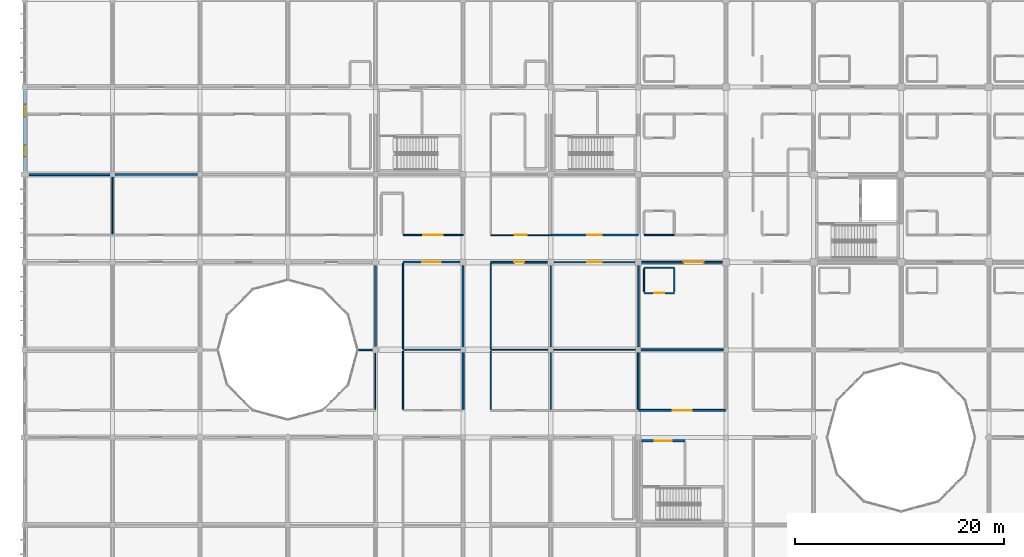
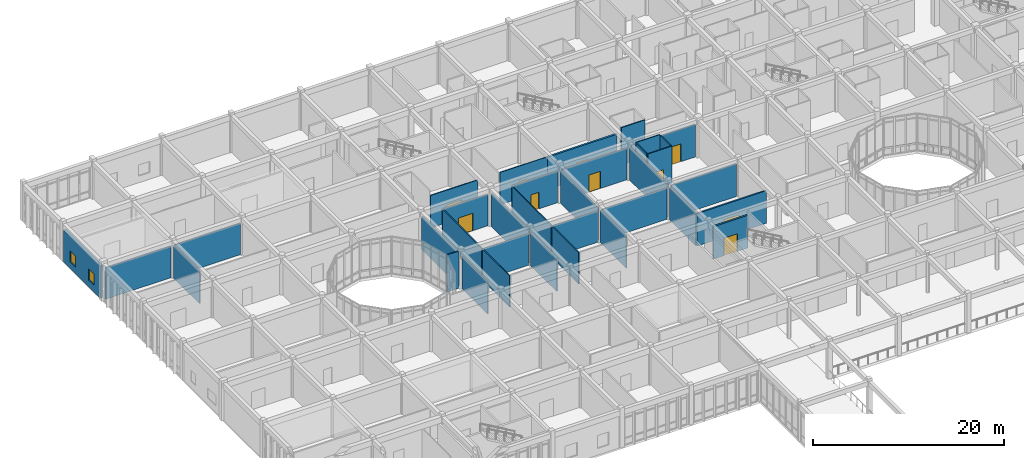
# One storey, part 98 of 134: 35 walls, 10 doors, 2 windows, 12 openings.
"""IFC4 building model written with IfcOpenShell, lengths in metres."""

from ifc_helpers import new_model, si_unit, direction, frame, frame_2d, origin, place, context, subcontext, project, spatial, rectangle, extrude, material, layer, layer_set, type_object, element, fill, save


model = new_model("IFC4")

# Units and contexts
model_context = context("Model", 3, precision=1e-05, world=origin(), true_north=direction((0.0, 1.0)))
body_context = subcontext(model_context, "Body", "Model", "MODEL_VIEW")
ifc_project = project(units=[si_unit("LENGTHUNIT", "METRE"), si_unit("AREAUNIT", "SQUARE_METRE"), si_unit("VOLUMEUNIT", "CUBIC_METRE"), si_unit("PLANEANGLEUNIT", "RADIAN"), si_unit("MASSUNIT", "GRAM", prefix="KILO")], contexts=[model_context])

# Site, building, storey
site_placement = place(None, origin())
site = spatial("IfcSite", under=ifc_project, at=site_placement, CompositionType="ELEMENT")
building_placement = place(site_placement, origin())
building = spatial("IfcBuilding", under=site, at=building_placement, Name="Bramfleet General Hospital", CompositionType="ELEMENT")
storey_placement = place(building_placement, frame((0.0, 0.0, 9.300048828125)))
storey = spatial("IfcBuildingStorey", under=building, at=storey_placement, Name="L02", CompositionType="ELEMENT", Elevation=9.300048828125)

# Wall, openings, windows
ifc_material_1 = material(Name="Precast concrete C40/50", Category="concrete")
ifc_layer_1 = layer(ifc_material_1, 0.3349609375, Name="WT-EW-03")
ifc_layer_set_1 = layer_set([ifc_layer_1], Name="Precast concrete C40/50")
wall_type_1 = type_object("IfcWallType", Name="WT-EW-03", PredefinedType="SOLIDWALL", material=ifc_layer_set_1)
wall_1_placement = place(storey_placement, frame((0.0, 101.125, 0.0), z_axis=(0.0, 0.0, 1.0), x_axis=(0.0, 1.0, 0.0)))
wall_1 = element("IfcWall", 1, at=wall_1_placement, inside=storey, type_object=wall_type_1, Name="L02 Exterior Wall 197", PredefinedType="SOLIDWALL", context=body_context, shape_type="SweptSolid", body=[
    extrude(rectangle(XDim=7.75, YDim=0.3349609375, at=frame_2d((3.875, 0.0))), origin(), (0.0, 0.0, 1.0), 4.070068359375),
])
opening_1_placement = place(wall_1_placement, frame((1.387451171875, 0.0, 0.85009765625)))
opening_1 = element("IfcOpeningElement", 2, at=opening_1_placement, cuts=wall_1, Name="Opening W-12", PredefinedType="OPENING", context=body_context, shape_type="SweptSolid", body=[
    extrude(rectangle(XDim=1.10009765625, YDim=1.419921875, at=frame_2d((0.550048828125, 0.7099609375))), frame((0.0, 0.177490234375, 0.0), z_axis=(0.0, -1.0, 0.0), x_axis=(1.0, 0.0, 0.0)), (0.0, 0.0, 1.0), 0.35498046875),
])
opening_2_placement = place(wall_1_placement, frame((5.21240234375, 0.0, 0.85009765625)))
opening_2 = element("IfcOpeningElement", 3, at=opening_2_placement, cuts=wall_1, Name="Opening W-13", PredefinedType="OPENING", context=body_context, shape_type="SweptSolid", body=[
    extrude(rectangle(XDim=1.199951171875, YDim=1.419921875, at=frame_2d((0.60009765625, 0.7099609375))), frame((0.0, 0.177490234375, 0.0), z_axis=(0.0, -1.0, 0.0), x_axis=(1.0, 0.0, 0.0)), (0.0, 0.0, 1.0), 0.35498046875),
])
ifc_material_2 = material(Name="Anodised aluminium and low-E triple glazing", Category="aluminium")
window_type_1 = type_object("IfcWindowType", Name="WIN-W-12", PartitioningType="SINGLE_PANEL", PredefinedType="WINDOW", material=ifc_material_2)
window_1_placement = place(opening_1_placement, origin())
window_1 = element("IfcWindow", 4, at=window_1_placement, inside=storey, type_object=window_type_1, Name="L02 Facade Window WIN-L02-197-1", OverallHeight=1.419921875, OverallWidth=1.10009765625, PartitioningType="SINGLE_PANEL", PredefinedType="WINDOW", context=body_context, shape_type="SweptSolid", body=[
    extrude(rectangle(XDim=1.10009765625, YDim=1.419921875, at=frame_2d((0.550048828125, 0.7099609375))), frame((0.0, 0.030029296875, 0.0), z_axis=(0.0, -1.0, 0.0), x_axis=(1.0, 0.0, 0.0)), (0.0, 0.0, 1.0), 0.06005859375),
])
fill(opening_1, window_1)
window_type_2 = type_object("IfcWindowType", Name="WIN-W-13", PartitioningType="SINGLE_PANEL", PredefinedType="WINDOW", material=ifc_material_2)
window_2_placement = place(opening_2_placement, origin())
window_2 = element("IfcWindow", 5, at=window_2_placement, inside=storey, type_object=window_type_2, Name="L02 Facade Window WIN-L02-197-2", OverallHeight=1.419921875, OverallWidth=1.199951171875, PartitioningType="SINGLE_PANEL", PredefinedType="WINDOW", context=body_context, shape_type="SweptSolid", body=[
    extrude(rectangle(XDim=1.199951171875, YDim=1.419921875, at=frame_2d((0.60009765625, 0.7099609375))), frame((0.0, 0.030029296875, 0.0), z_axis=(0.0, -1.0, 0.0), x_axis=(1.0, 0.0, 0.0)), (0.0, 0.0, 1.0), 0.06005859375),
])
fill(opening_2, window_2)

# Wall, opening, door
ifc_material_3 = material(Name="Concrete C35/45", Category="concrete")
ifc_layer_2 = layer(ifc_material_3, 0.219970703125, Name="WT-IW-01")
ifc_layer_set_2 = layer_set([ifc_layer_2], Name="Concrete C35/45")
wall_type_2 = type_object("IfcWallType", Name="WT-IW-01", PredefinedType="PARTITIONING", material=ifc_layer_set_2)
wall_2_placement = place(storey_placement, frame((50.39990234375, 95.0, 0.0), z_axis=(0.0, 0.0, 1.0), x_axis=(1.0, 0.0, 0.0)))
wall_2 = element("IfcWall", 6, at=wall_2_placement, inside=storey, type_object=wall_type_2, Name="L02 Interior Partition IW-L02-2101", PredefinedType="PARTITIONING", context=body_context, shape_type="SweptSolid", body=[
    extrude(rectangle(XDim=8.400146484375, YDim=0.219970703125, at=frame_2d((4.2001953125, 0.0))), origin(), (0.0, 0.0, 1.0), 4.169921875),
])
opening_3_placement = place(wall_2_placement, frame((3.52490234375, 0.0, 0.0)))
opening_3 = element("IfcOpeningElement", 7, at=opening_3_placement, cuts=wall_2, Name="Opening D0898", PredefinedType="OPENING", context=body_context, shape_type="SweptSolid", body=[
    extrude(rectangle(XDim=1.35009765625, YDim=2.199951171875, at=frame_2d((0.675048828125, 1.10009765625))), frame((0.0, 0.119873046875, 0.0), z_axis=(0.0, -1.0, 0.0), x_axis=(1.0, 0.0, 0.0)), (0.0, 0.0, 1.0), 0.239990234375),
])
ifc_material_4 = material(Name="Stainless steel and acoustic timber leaf", Category="steel")
door_type_1 = type_object("IfcDoorType", Name="DR-D-02", OperationType="NOTDEFINED", PredefinedType="DOOR", material=ifc_material_4)
door_1_placement = place(opening_3_placement, origin())
door_1 = element("IfcDoor", 8, at=door_1_placement, inside=storey, type_object=door_type_1, Name="Post-Anaesthesia Recovery Ward Bay L02-0611 Door D0898", OperationType="SINGLE_SWING_LEFT", OverallHeight=2.199951171875, OverallWidth=1.35009765625, PredefinedType="DOOR", context=body_context, shape_type="SweptSolid", body=[
    extrude(rectangle(XDim=1.35009765625, YDim=2.199951171875, at=frame_2d((0.675048828125, 1.10009765625))), frame((0.0, 0.02490234375, 0.0), z_axis=(0.0, -1.0, 0.0), x_axis=(1.0, 0.0, 0.0)), (0.0, 0.0, 1.0), 0.050048828125),
])
fill(opening_3, door_1)

# Wall
wall_3_placement = place(storey_placement, frame((33.60009765625, 84.320068359375, 0.0), z_axis=(0.0, 0.0, 1.0), x_axis=(0.0, 1.0, 0.0)))
element("IfcWall", 9, at=wall_3_placement, inside=storey, type_object=wall_type_2, Name="L02 Interior Partition IW-L02-2233", PredefinedType="PARTITIONING", context=body_context, shape_type="SweptSolid", body=[
    extrude(rectangle(XDim=7.760009765625, YDim=0.219970703125, at=frame_2d((3.8798828125, 0.0))), origin(), (0.0, 0.0, 1.0), 4.169921875),
])

# Wall, opening, door
ifc_layer_3 = layer(ifc_material_3, 0.205078125, Name="WT-IW-02")
ifc_layer_set_3 = layer_set([ifc_layer_3], Name="Concrete C35/45")
wall_type_3 = type_object("IfcWallType", Name="WT-IW-02", PredefinedType="PARTITIONING", material=ifc_layer_set_3)
wall_4_placement = place(storey_placement, frame((59.10009765625, 75.280029296875, 0.0), z_axis=(0.0, 0.0, 1.0), x_axis=(1.0, 0.0, 0.0)))
wall_4 = element("IfcWall", 10, at=wall_4_placement, inside=storey, type_object=wall_type_3, Name="L02 C13 Lobby North Compartment Wall", PredefinedType="PARTITIONING", context=body_context, shape_type="SweptSolid", body=[
    extrude(rectangle(XDim=4.179931640625, YDim=0.205078125, at=frame_2d((2.08984375, 0.0))), origin(), (0.0, 0.0, 1.0), 4.169921875),
])
opening_4_placement = place(wall_4_placement, frame((1.2900390625, 0.0, 0.0)))
opening_4 = element("IfcOpeningElement", 11, at=opening_4_placement, cuts=wall_4, Name="Opening D0172", PredefinedType="OPENING", context=body_context, shape_type="SweptSolid", body=[
    extrude(rectangle(XDim=1.60009765625, YDim=2.25, at=frame_2d((0.800048828125, 1.125))), frame((0.0, 0.112548828125, 0.0), z_axis=(0.0, -1.0, 0.0), x_axis=(1.0, 0.0, 0.0)), (0.0, 0.0, 1.0), 0.22509765625),
])
door_type_2 = type_object("IfcDoorType", Name="DR-D-04", OperationType="NOTDEFINED", PredefinedType="DOOR", material=ifc_material_4)
door_2_placement = place(opening_4_placement, origin())
door_2 = element("IfcDoor", 12, at=door_2_placement, inside=storey, type_object=door_type_2, Name="L02 C13 Lobby Fire Door D0172", OperationType="DOUBLE_SWING_LEFT", OverallHeight=2.25, OverallWidth=1.60009765625, PredefinedType="DOOR", context=body_context, shape_type="SweptSolid", body=[
    extrude(rectangle(XDim=1.60009765625, YDim=2.25, at=frame_2d((0.800048828125, 1.125))), frame((0.0, 0.02490234375, 0.0), z_axis=(0.0, -1.0, 0.0), x_axis=(1.0, 0.0, 0.0)), (0.0, 0.0, 1.0), 0.050048828125),
])
fill(opening_4, door_2)

ifc_layer_4 = layer(ifc_material_3, 0.18994140625, Name="WT-IW-03")
ifc_layer_set_4 = layer_set([ifc_layer_4], Name="Concrete C35/45")
wall_type_4 = type_object("IfcWallType", Name="WT-IW-03", PredefinedType="PARTITIONING", material=ifc_layer_set_4)
wall_5_placement = place(storey_placement, frame((36.25, 92.39990234375, 0.0), z_axis=(0.0, 0.0, 1.0), x_axis=(1.0, 0.0, 0.0)))
wall_5 = element("IfcWall", 13, at=wall_5_placement, inside=storey, type_object=wall_type_4, Name="L02 Interior Partition IW-L02-2079", PredefinedType="PARTITIONING", context=body_context, shape_type="SweptSolid", body=[
    extrude(rectangle(XDim=5.455078125, YDim=0.18994140625, at=frame_2d((2.7275390625, 0.0))), origin(), (0.0, 0.0, 1.0), 4.02001953125),
])
opening_5_placement = place(wall_5_placement, frame((1.857421875, 0.0, 0.0)))
opening_5 = element("IfcOpeningElement", 14, at=opening_5_placement, cuts=wall_5, Name="Opening D0883", PredefinedType="OPENING", context=body_context, shape_type="SweptSolid", body=[
    extrude(rectangle(XDim=1.739990234375, YDim=2.239990234375, at=frame_2d((0.8701171875, 1.1201171875))), frame((0.0, 0.10498046875, 0.0), z_axis=(0.0, -1.0, 0.0), x_axis=(1.0, 0.0, 0.0)), (0.0, 0.0, 1.0), 0.2099609375),
])
door_type_3 = type_object("IfcDoorType", Name="DR-D-19", OperationType="NOTDEFINED", PredefinedType="DOOR", material=ifc_material_4)
door_3_placement = place(opening_5_placement, origin())
door_3 = element("IfcDoor", 15, at=door_3_placement, inside=storey, type_object=door_type_3, Name="Post-Anaesthesia Recovery Ward Bay L02-0410 Door D0883", OperationType="DOUBLE_SWING_RIGHT", OverallHeight=2.239990234375, OverallWidth=1.739990234375, PredefinedType="DOOR", context=body_context, shape_type="SweptSolid", body=[
    extrude(rectangle(XDim=1.739990234375, YDim=2.239990234375, at=frame_2d((0.8701171875, 1.1201171875))), frame((0.0, 0.02490234375, 0.0), z_axis=(0.0, -1.0, 0.0), x_axis=(1.0, 0.0, 0.0)), (0.0, 0.0, 1.0), 0.050048828125),
])
fill(opening_5, door_3)

# Wall
wall_6_placement = place(storey_placement, frame((42.0, 78.31494140625, 0.0), z_axis=(0.0, 0.0, 1.0), x_axis=(0.0, 1.0, 0.0)))
element("IfcWall", 16, at=wall_6_placement, inside=storey, type_object=wall_type_4, Name="L02 Interior Partition IW-L02-2247", PredefinedType="PARTITIONING", context=body_context, shape_type="SweptSolid", body=[
    extrude(rectangle(XDim=5.43994140625, YDim=0.18994140625, at=frame_2d((2.719970703125, 0.0))), origin(), (0.0, 0.0, 1.0), 4.169921875),
])

# Wall, opening, door
ifc_layer_5 = layer(ifc_material_3, 0.179931640625, Name="WT-IW-04")
ifc_layer_set_5 = layer_set([ifc_layer_5], Name="Concrete C35/45")
wall_type_5 = type_object("IfcWallType", Name="WT-IW-04", PredefinedType="PARTITIONING", material=ifc_layer_set_5)
wall_7_placement = place(storey_placement, frame((58.800048828125, 78.199951171875, 0.0), z_axis=(0.0, 0.0, 1.0), x_axis=(1.0, 0.0, 0.0)))
wall_7 = element("IfcWall", 17, at=wall_7_placement, inside=storey, type_object=wall_type_5, Name="L02 Interior Partition IW-L02-2036", PredefinedType="PARTITIONING", context=body_context, shape_type="SweptSolid", body=[
    extrude(rectangle(XDim=8.39990234375, YDim=0.179931640625, at=frame_2d((4.199951171875, 0.0))), origin(), (0.0, 0.0, 1.0), 4.169921875),
])
opening_6_placement = place(wall_7_placement, frame((3.300048828125, 0.0, 0.0)))
opening_6 = element("IfcOpeningElement", 18, at=opening_6_placement, cuts=wall_7, Name="Opening D0901", PredefinedType="OPENING", context=body_context, shape_type="SweptSolid", body=[
    extrude(rectangle(XDim=1.800048828125, YDim=2.25, at=frame_2d((0.89990234375, 1.125))), frame((0.0, 0.099853515625, 0.0), z_axis=(0.0, -1.0, 0.0), x_axis=(1.0, 0.0, 0.0)), (0.0, 0.0, 1.0), 0.199951171875),
])
door_type_4 = type_object("IfcDoorType", Name="DR-D-05", OperationType="NOTDEFINED", PredefinedType="DOOR", material=ifc_material_4)
door_4_placement = place(opening_6_placement, origin())
door_4 = element("IfcDoor", 19, at=door_4_placement, inside=storey, type_object=door_type_4, Name="Interventional Cardiology Cath Lab L02-0709 Door D0901", OperationType="DOUBLE_SWING_RIGHT", OverallHeight=2.25, OverallWidth=1.800048828125, PredefinedType="DOOR", context=body_context, shape_type="SweptSolid", body=[
    extrude(rectangle(XDim=1.800048828125, YDim=2.25, at=frame_2d((0.89990234375, 1.125))), frame((0.0, 0.02490234375, 0.0), z_axis=(0.0, -1.0, 0.0), x_axis=(1.0, 0.0, 0.0)), (0.0, 0.0, 1.0), 0.050048828125),
])
fill(opening_6, door_4)

# Wall
wall_8_placement = place(storey_placement, frame((59.044921875, 84.0, 0.0), z_axis=(0.0, 0.0, 1.0), x_axis=(1.0, 0.0, 0.0)))
element("IfcWall", 20, at=wall_8_placement, inside=storey, type_object=wall_type_5, Name="L02 Interior Partition IW-L02-2053", PredefinedType="PARTITIONING", context=body_context, shape_type="SweptSolid", body=[
    extrude(rectangle(XDim=7.91015625, YDim=0.179931640625, at=frame_2d((3.955078125, 0.0))), origin(), (0.0, 0.0, 1.0), 4.169921875),
])

# Wall, opening, door
wall_9_placement = place(storey_placement, frame((44.64990234375, 92.39990234375, 0.0), z_axis=(0.0, 0.0, 1.0), x_axis=(1.0, 0.0, 0.0)))
wall_9 = element("IfcWall", 21, at=wall_9_placement, inside=storey, type_object=wall_type_5, Name="L02 Interior Partition IW-L02-2080", PredefinedType="PARTITIONING", context=body_context, shape_type="SweptSolid", body=[
    extrude(rectangle(XDim=5.455078125, YDim=0.179931640625, at=frame_2d((2.7275390625, 0.0))), origin(), (0.0, 0.0, 1.0), 4.02001953125),
])
opening_7_placement = place(wall_9_placement, frame((2.237548828125, 0.0, 0.0)))
opening_7 = element("IfcOpeningElement", 22, at=opening_7_placement, cuts=wall_9, Name="Opening D0890", PredefinedType="OPENING", context=body_context, shape_type="SweptSolid", body=[
    extrude(rectangle(XDim=0.97998046875, YDim=2.1201171875, at=frame_2d((0.489990234375, 1.06005859375))), frame((0.0, 0.099853515625, 0.0), z_axis=(0.0, -1.0, 0.0), x_axis=(1.0, 0.0, 0.0)), (0.0, 0.0, 1.0), 0.199951171875),
])
door_type_5 = type_object("IfcDoorType", Name="DR-D-26", OperationType="NOTDEFINED", PredefinedType="DOOR", material=ifc_material_4)
door_5_placement = place(opening_7_placement, origin())
door_5 = element("IfcDoor", 23, at=door_5_placement, inside=storey, type_object=door_type_5, Name="Post-Anaesthesia Recovery Ward Bay L02-0510 Door D0890", OperationType="SINGLE_SWING_LEFT", OverallHeight=2.1201171875, OverallWidth=0.97998046875, PredefinedType="DOOR", context=body_context, shape_type="SweptSolid", body=[
    extrude(rectangle(XDim=0.97998046875, YDim=2.1201171875, at=frame_2d((0.489990234375, 1.06005859375))), frame((0.0, 0.02490234375, 0.0), z_axis=(0.0, -1.0, 0.0), x_axis=(1.0, 0.0, 0.0)), (0.0, 0.0, 1.0), 0.050048828125),
])
fill(opening_7, door_5)

# Walls
wall_10_placement = place(storey_placement, frame((0.2451171875, 100.800048828125, 0.0), z_axis=(0.0, 0.0, 1.0), x_axis=(1.0, 0.0, 0.0)))
element("IfcWall", 24, at=wall_10_placement, inside=storey, type_object=wall_type_5, Name="L02 Interior Partition IW-L02-2116", PredefinedType="PARTITIONING", context=body_context, shape_type="SweptSolid", body=[
    extrude(rectangle(XDim=7.909912109375, YDim=0.179931640625, at=frame_2d((3.955078125, 0.0))), origin(), (0.0, 0.0, 1.0), 4.02001953125),
])
wall_11_placement = place(storey_placement, frame((42.0, 84.2451171875, 0.0), z_axis=(0.0, 0.0, 1.0), x_axis=(0.0, 1.0, 0.0)))
element("IfcWall", 25, at=wall_11_placement, inside=storey, type_object=wall_type_5, Name="L02 Interior Partition IW-L02-2248", PredefinedType="PARTITIONING", context=body_context, shape_type="SweptSolid", body=[
    extrude(rectangle(XDim=7.85986328125, YDim=0.179931640625, at=frame_2d((3.929931640625, 0.0))), origin(), (0.0, 0.0, 1.0), 4.169921875),
])

# Wall, opening, door
ifc_material_5 = material(Name="Gypsum plasterboard on acoustic steel studs", Category="steel")
ifc_layer_6 = layer(ifc_material_5, 0.169921875, Name="WT-IW-05")
ifc_layer_set_6 = layer_set([ifc_layer_6], Name="Gypsum plasterboard on acoustic steel studs")
wall_type_6 = type_object("IfcWallType", Name="WT-IW-05", PredefinedType="PARTITIONING", material=ifc_layer_set_6)
wall_12_placement = place(storey_placement, frame((50.695068359375, 92.39990234375, 0.0), z_axis=(0.0, 0.0, 1.0), x_axis=(1.0, 0.0, 0.0)))
wall_12 = element("IfcWall", 26, at=wall_12_placement, inside=storey, type_object=wall_type_6, Name="L02 Interior Partition IW-L02-2081", PredefinedType="PARTITIONING", context=body_context, shape_type="SweptSolid", body=[
    extrude(rectangle(XDim=7.809814453125, YDim=0.169921875, at=frame_2d((3.90478515625, 0.0))), origin(), (0.0, 0.0, 1.0), 4.02001953125),
])
opening_8_placement = place(wall_12_placement, frame((3.205078125, 0.0, 0.0)))
opening_8 = element("IfcOpeningElement", 27, at=opening_8_placement, cuts=wall_12, Name="Opening D0897", PredefinedType="OPENING", context=body_context, shape_type="SweptSolid", body=[
    extrude(rectangle(XDim=1.39990234375, YDim=2.199951171875, at=frame_2d((0.699951171875, 1.10009765625))), frame((0.0, 0.094970703125, 0.0), z_axis=(0.0, -1.0, 0.0), x_axis=(1.0, 0.0, 0.0)), (0.0, 0.0, 1.0), 0.18994140625),
])
door_type_6 = type_object("IfcDoorType", Name="DR-D-01", OperationType="NOTDEFINED", PredefinedType="DOOR", material=ifc_material_4)
door_6_placement = place(opening_8_placement, origin())
door_6 = element("IfcDoor", 28, at=door_6_placement, inside=storey, type_object=door_type_6, Name="Post-Anaesthesia Recovery Ward Bay L02-0610 Door D0897", OperationType="SINGLE_SWING_RIGHT", OverallHeight=2.199951171875, OverallWidth=1.39990234375, PredefinedType="DOOR", context=body_context, shape_type="SweptSolid", body=[
    extrude(rectangle(XDim=1.39990234375, YDim=2.199951171875, at=frame_2d((0.699951171875, 1.10009765625))), frame((0.0, 0.02490234375, 0.0), z_axis=(0.0, -1.0, 0.0), x_axis=(1.0, 0.0, 0.0)), (0.0, 0.0, 1.0), 0.050048828125),
])
fill(opening_8, door_6)

# Wall
wall_13_placement = place(storey_placement, frame((8.64501953125, 100.800048828125, 0.0), z_axis=(0.0, 0.0, 1.0), x_axis=(1.0, 0.0, 0.0)))
element("IfcWall", 29, at=wall_13_placement, inside=storey, type_object=wall_type_6, Name="L02 Interior Partition IW-L02-2117", PredefinedType="PARTITIONING", context=body_context, shape_type="SweptSolid", body=[
    extrude(rectangle(XDim=7.909912109375, YDim=0.169921875, at=frame_2d((3.955078125, 0.0))), origin(), (0.0, 0.0, 1.0), 4.02001953125),
])

# Wall, opening, door
ifc_layer_7 = layer(ifc_material_5, 0.159912109375, Name="WT-IW-06")
ifc_layer_set_7 = layer_set([ifc_layer_7], Name="Gypsum plasterboard on acoustic steel studs")
wall_type_7 = type_object("IfcWallType", Name="WT-IW-06", PredefinedType="PARTITIONING", material=ifc_layer_set_7)
wall_14_placement = place(storey_placement, frame((59.094970703125, 92.39990234375, 0.0), z_axis=(0.0, 0.0, 1.0), x_axis=(1.0, 0.0, 0.0)))
wall_14 = element("IfcWall", 30, at=wall_14_placement, inside=storey, type_object=wall_type_7, Name="L02 Interior Partition IW-L02-2082", PredefinedType="PARTITIONING", context=body_context, shape_type="SweptSolid", body=[
    extrude(rectangle(XDim=7.760009765625, YDim=0.159912109375, at=frame_2d((3.8798828125, 0.0))), origin(), (0.0, 0.0, 1.0), 4.169921875),
])
opening_9_placement = place(wall_14_placement, frame((4.05810546875, 0.0, 0.0)))
opening_9 = element("IfcOpeningElement", 31, at=opening_9_placement, cuts=wall_14, Name="Opening D0902", PredefinedType="OPENING", context=body_context, shape_type="SweptSolid", body=[
    extrude(rectangle(XDim=1.89990234375, YDim=2.300048828125, at=frame_2d((0.949951171875, 1.14990234375))), frame((0.0, 0.08984375, 0.0), z_axis=(0.0, -1.0, 0.0), x_axis=(1.0, 0.0, 0.0)), (0.0, 0.0, 1.0), 0.179931640625),
])
door_type_7 = type_object("IfcDoorType", Name="DR-D-06", OperationType="NOTDEFINED", PredefinedType="DOOR", material=ifc_material_4)
door_7_placement = place(opening_9_placement, origin())
door_7 = element("IfcDoor", 32, at=door_7_placement, inside=storey, type_object=door_type_7, Name="Intensive Care Unit Room L02-0710 Door D0902", OperationType="DOUBLE_SWING_LEFT", OverallHeight=2.300048828125, OverallWidth=1.89990234375, PredefinedType="DOOR", context=body_context, shape_type="SweptSolid", body=[
    extrude(rectangle(XDim=1.89990234375, YDim=2.300048828125, at=frame_2d((0.949951171875, 1.14990234375))), frame((0.0, 0.02490234375, 0.0), z_axis=(0.0, -1.0, 0.0), x_axis=(1.0, 0.0, 0.0)), (0.0, 0.0, 1.0), 0.050048828125),
])
fill(opening_9, door_7)

# Walls
wall_15_placement = place(storey_placement, frame((58.800048828125, 78.31494140625, 0.0), z_axis=(0.0, 0.0, 1.0), x_axis=(0.0, 1.0, 0.0)))
element("IfcWall", 33, at=wall_15_placement, inside=storey, type_object=wall_type_7, Name="L02 Interior Partition IW-L02-2274", PredefinedType="PARTITIONING", context=body_context, shape_type="SweptSolid", body=[
    extrude(rectangle(XDim=5.43994140625, YDim=0.159912109375, at=frame_2d((2.719970703125, 0.0))), origin(), (0.0, 0.0, 1.0), 4.169921875),
])
ifc_layer_8 = layer(ifc_material_5, 0.14990234375, Name="WT-IW-07")
ifc_layer_set_8 = layer_set([ifc_layer_8], Name="Gypsum plasterboard on acoustic steel studs")
wall_type_8 = type_object("IfcWallType", Name="WT-IW-07", PredefinedType="PARTITIONING", material=ifc_layer_set_8)
wall_16_placement = place(storey_placement, frame((58.800048828125, 84.2451171875, 0.0), z_axis=(0.0, 0.0, 1.0), x_axis=(0.0, 1.0, 0.0)))
element("IfcWall", 34, at=wall_16_placement, inside=storey, type_object=wall_type_8, Name="L02 Interior Partition IW-L02-2275", PredefinedType="PARTITIONING", context=body_context, shape_type="SweptSolid", body=[
    extrude(rectangle(XDim=7.85986328125, YDim=0.14990234375, at=frame_2d((3.929931640625, 0.0))), origin(), (0.0, 0.0, 1.0), 4.169921875),
])
ifc_layer_9 = layer(ifc_material_5, 0.1298828125, Name="WT-IW-09")
ifc_layer_set_9 = layer_set([ifc_layer_9], Name="Gypsum plasterboard on acoustic steel studs")
wall_type_9 = type_object("IfcWallType", Name="WT-IW-09", PredefinedType="PARTITIONING", material=ifc_layer_set_9)
wall_17_placement = place(storey_placement, frame((31.89990234375, 84.0, 0.0), z_axis=(0.0, 0.0, 1.0), x_axis=(1.0, 0.0, 0.0)))
element("IfcWall", 35, at=wall_17_placement, inside=storey, type_object=wall_type_9, Name="L02 Interior Partition IW-L02-2049", PredefinedType="PARTITIONING", context=body_context, shape_type="SweptSolid", body=[
    extrude(rectangle(XDim=1.380126953125, YDim=0.1298828125, at=frame_2d((0.68994140625, 0.0))), origin(), (0.0, 0.0, 1.0), 4.77001953125),
])
wall_18_placement = place(storey_placement, frame((8.39990234375, 95.114990234375, 0.0), z_axis=(0.0, 0.0, 1.0), x_axis=(0.0, 1.0, 0.0)))
element("IfcWall", 36, at=wall_18_placement, inside=storey, type_object=wall_type_9, Name="L02 Interior Partition IW-L02-2205", PredefinedType="PARTITIONING", context=body_context, shape_type="SweptSolid", body=[
    extrude(rectangle(XDim=5.43994140625, YDim=0.1298828125, at=frame_2d((2.719970703125, 0.0))), origin(), (0.0, 0.0, 1.0), 4.169921875),
])
for number, where, z_axis, x_axis, name in (
    (37, (36.25, 78.31494140625, 0.0), (0.0, 0.0, 1.0), (0.0, 1.0, 0.0), "L02 Interior Partition IW-L02-2241"),
    (38, (44.64990234375, 78.31494140625, 0.0), (0.0, 0.0, 1.0), (0.0, 1.0, 0.0), "L02 Interior Partition IW-L02-2253"),
):
    element("IfcWall", number, at=place(storey_placement, frame(where, z_axis=z_axis, x_axis=x_axis)), inside=storey, type_object=wall_type_9, Name=name, PredefinedType="PARTITIONING", context=body_context, shape_type="SweptSolid", body=[
        extrude(rectangle(XDim=5.570068359375, YDim=0.1298828125, at=frame_2d((2.78515625, 0.0))), origin(), (0.0, 0.0, 1.0), 4.02001953125),
    ])
wall_19_placement = place(storey_placement, frame((50.39990234375, 78.31494140625, 0.0), z_axis=(0.0, 0.0, 1.0), x_axis=(0.0, 1.0, 0.0)))
element("IfcWall", 39, at=wall_19_placement, inside=storey, type_object=wall_type_9, Name="L02 Interior Partition IW-L02-2265", PredefinedType="PARTITIONING", context=body_context, shape_type="SweptSolid", body=[
    extrude(rectangle(XDim=5.43994140625, YDim=0.1298828125, at=frame_2d((2.719970703125, 0.0))), origin(), (0.0, 0.0, 1.0), 4.169921875),
])
ifc_layer_10 = layer(ifc_material_5, 0.1201171875, Name="WT-IW-10")
ifc_layer_set_10 = layer_set([ifc_layer_10], Name="Gypsum plasterboard on acoustic steel studs")
wall_type_10 = type_object("IfcWallType", Name="WT-IW-10", PredefinedType="PARTITIONING", material=ifc_layer_set_10)
wall_20_placement = place(storey_placement, frame((36.25, 84.0, 0.0), z_axis=(0.0, 0.0, 1.0), x_axis=(1.0, 0.0, 0.0)))
element("IfcWall", 40, at=wall_20_placement, inside=storey, type_object=wall_type_10, Name="L02 Interior Partition IW-L02-2050", PredefinedType="PARTITIONING", context=body_context, shape_type="SweptSolid", body=[
    extrude(rectangle(XDim=5.5048828125, YDim=0.1201171875, at=frame_2d((2.75244140625, 0.0))), origin(), (0.0, 0.0, 1.0), 4.02001953125),
])

# Wall, opening, door
wall_21_placement = place(storey_placement, frame((59.35009765625, 89.429931640625, 0.0), z_axis=(0.0, 0.0, 1.0), x_axis=(1.0, 0.0, 0.0)))
wall_21 = element("IfcWall", 41, at=wall_21_placement, inside=storey, type_object=wall_type_10, Name="L02 Interior Partition IW-L02-2065", PredefinedType="PARTITIONING", context=body_context, shape_type="SweptSolid", body=[
    extrude(rectangle(XDim=2.89990234375, YDim=0.1201171875, at=frame_2d((1.449951171875, 0.0))), origin(), (0.0, 0.0, 1.0), 4.77001953125),
])
opening_10_placement = place(wall_21_placement, frame((0.97509765625, 0.0, 0.0)))
opening_10 = element("IfcOpeningElement", 42, at=opening_10_placement, cuts=wall_21, Name="Opening D0903", PredefinedType="OPENING", context=body_context, shape_type="SweptSolid", body=[
    extrude(rectangle(XDim=0.949951171875, YDim=2.10009765625, at=frame_2d((0.47509765625, 1.050048828125))), frame((0.0, 0.070068359375, 0.0), z_axis=(0.0, -1.0, 0.0), x_axis=(1.0, 0.0, 0.0)), (0.0, 0.0, 1.0), 0.14013671875),
])
door_type_8 = type_object("IfcDoorType", Name="DR-D-10", OperationType="NOTDEFINED", PredefinedType="DOOR", material=ifc_material_4)
door_8_placement = place(opening_10_placement, origin())
door_8 = element("IfcDoor", 43, at=door_8_placement, inside=storey, type_object=door_type_8, Name="Intensive Care En-Suite WC L02-0710 Door D0903", OperationType="SINGLE_SWING_LEFT", OverallHeight=2.10009765625, OverallWidth=0.949951171875, PredefinedType="DOOR", context=body_context, shape_type="SweptSolid", body=[
    extrude(rectangle(XDim=0.949951171875, YDim=2.10009765625, at=frame_2d((0.47509765625, 1.050048828125))), frame((0.0, 0.02490234375, 0.0), z_axis=(0.0, -1.0, 0.0), x_axis=(1.0, 0.0, 0.0)), (0.0, 0.0, 1.0), 0.050048828125),
])
fill(opening_10, door_8)

# Walls
for number, where, z_axis, x_axis, name in (
    (44, (59.35009765625, 91.8798828125, 0.0), (0.0, 0.0, 1.0), (1.0, 0.0, 0.0), "L02 Interior Partition IW-L02-2070"),
    (45, (59.35009765625, 95.0, 0.0), (0.0, 0.0, 1.0), (1.0, 0.0, 0.0), "L02 Interior Partition IW-L02-2102"),
):
    element("IfcWall", number, at=place(storey_placement, frame(where, z_axis=z_axis, x_axis=x_axis)), inside=storey, type_object=wall_type_10, Name=name, PredefinedType="PARTITIONING", context=body_context, shape_type="SweptSolid", body=[
        extrude(rectangle(XDim=2.89990234375, YDim=0.1201171875, at=frame_2d((1.449951171875, 0.0))), origin(), (0.0, 0.0, 1.0), 4.77001953125),
    ])
for number, where, z_axis, x_axis, name in (
    (46, (36.25, 84.114990234375, 0.0), (0.0, 0.0, 1.0), (0.0, 1.0, 0.0), "L02 Interior Partition IW-L02-2242"),
    (47, (44.64990234375, 84.114990234375, 0.0), (0.0, 0.0, 1.0), (0.0, 1.0, 0.0), "L02 Interior Partition IW-L02-2254"),
):
    element("IfcWall", number, at=place(storey_placement, frame(where, z_axis=z_axis, x_axis=x_axis)), inside=storey, type_object=wall_type_10, Name=name, PredefinedType="PARTITIONING", context=body_context, shape_type="SweptSolid", body=[
        extrude(rectangle(XDim=8.169921875, YDim=0.1201171875, at=frame_2d((4.0849609375, 0.0))), origin(), (0.0, 0.0, 1.0), 4.02001953125),
    ])
wall_22_placement = place(storey_placement, frame((50.39990234375, 84.2451171875, 0.0), z_axis=(0.0, 0.0, 1.0), x_axis=(0.0, 1.0, 0.0)))
element("IfcWall", 48, at=wall_22_placement, inside=storey, type_object=wall_type_10, Name="L02 Interior Partition IW-L02-2266", PredefinedType="PARTITIONING", context=body_context, shape_type="SweptSolid", body=[
    extrude(rectangle(XDim=7.85986328125, YDim=0.1201171875, at=frame_2d((3.929931640625, 0.0))), origin(), (0.0, 0.0, 1.0), 4.169921875),
])
for number, where, z_axis, x_axis, name in (
    (49, (59.35009765625, 89.544921875, 0.0), (0.0, 0.0, 1.0), (0.0, 1.0, 0.0), "L02 Interior Partition IW-L02-2279"),
    (50, (62.25, 89.544921875, 0.0), (0.0, 0.0, 1.0), (0.0, 1.0, 0.0), "L02 Interior Partition IW-L02-2283"),
):
    element("IfcWall", number, at=place(storey_placement, frame(where, z_axis=z_axis, x_axis=x_axis)), inside=storey, type_object=wall_type_10, Name=name, PredefinedType="PARTITIONING", context=body_context, shape_type="SweptSolid", body=[
        extrude(rectangle(XDim=2.219970703125, YDim=0.1201171875, at=frame_2d((1.10986328125, 0.0))), origin(), (0.0, 0.0, 1.0), 4.77001953125),
    ])
ifc_layer_11 = layer(ifc_material_5, 0.112060546875, Name="WT-IW-11")
ifc_layer_set_11 = layer_set([ifc_layer_11], Name="Gypsum plasterboard on acoustic steel studs")
wall_type_11 = type_object("IfcWallType", Name="WT-IW-11", PredefinedType="PARTITIONING", material=ifc_layer_set_11)
wall_23_placement = place(storey_placement, frame((44.64990234375, 84.0, 0.0), z_axis=(0.0, 0.0, 1.0), x_axis=(1.0, 0.0, 0.0)))
element("IfcWall", 51, at=wall_23_placement, inside=storey, type_object=wall_type_11, Name="L02 Interior Partition IW-L02-2051", PredefinedType="PARTITIONING", context=body_context, shape_type="SweptSolid", body=[
    extrude(rectangle(XDim=5.505126953125, YDim=0.112060546875, at=frame_2d((2.75244140625, 0.0))), origin(), (0.0, 0.0, 1.0), 4.02001953125),
])

# Wall, opening, door
wall_24_placement = place(storey_placement, frame((36.25, 95.0, 0.0), z_axis=(0.0, 0.0, 1.0), x_axis=(1.0, 0.0, 0.0)))
wall_24 = element("IfcWall", 52, at=wall_24_placement, inside=storey, type_object=wall_type_11, Name="L02 Interior Partition IW-L02-2099", PredefinedType="PARTITIONING", context=body_context, shape_type="SweptSolid", body=[
    extrude(rectangle(XDim=5.75, YDim=0.112060546875, at=frame_2d((2.875, 0.0))), origin(), (0.0, 0.0, 1.0), 4.169921875),
])
opening_11_placement = place(wall_24_placement, frame((1.955078125, 0.0, 0.0)))
opening_11 = element("IfcOpeningElement", 53, at=opening_11_placement, cuts=wall_24, Name="Opening D0884", PredefinedType="OPENING", context=body_context, shape_type="SweptSolid", body=[
    extrude(rectangle(XDim=1.840087890625, YDim=2.280029296875, at=frame_2d((0.919921875, 1.14013671875))), frame((0.0, 0.06591796875, 0.0), z_axis=(0.0, -1.0, 0.0), x_axis=(1.0, 0.0, 0.0)), (0.0, 0.0, 1.0), 0.132080078125),
])
door_type_9 = type_object("IfcDoorType", Name="DR-D-20", OperationType="NOTDEFINED", PredefinedType="DOOR", material=ifc_material_4)
door_9_placement = place(opening_11_placement, origin())
door_9 = element("IfcDoor", 54, at=door_9_placement, inside=storey, type_object=door_type_9, Name="Post-Anaesthesia Recovery Ward Bay L02-0411 Door D0884", OperationType="DOUBLE_SWING_LEFT", OverallHeight=2.280029296875, OverallWidth=1.840087890625, PredefinedType="DOOR", context=body_context, shape_type="SweptSolid", body=[
    extrude(rectangle(XDim=1.840087890625, YDim=2.280029296875, at=frame_2d((0.919921875, 1.14013671875))), frame((0.0, 0.02490234375, 0.0), z_axis=(0.0, -1.0, 0.0), x_axis=(1.0, 0.0, 0.0)), (0.0, 0.0, 1.0), 0.050048828125),
])
fill(opening_11, door_9)

# Wall
ifc_layer_12 = layer(ifc_material_5, 0.10009765625, Name="WT-IW-12")
ifc_layer_set_12 = layer_set([ifc_layer_12], Name="Gypsum plasterboard on acoustic steel studs")
wall_type_12 = type_object("IfcWallType", Name="WT-IW-12", PredefinedType="PARTITIONING", material=ifc_layer_set_12)
wall_25_placement = place(storey_placement, frame((50.64501953125, 84.0, 0.0), z_axis=(0.0, 0.0, 1.0), x_axis=(1.0, 0.0, 0.0)))
element("IfcWall", 55, at=wall_25_placement, inside=storey, type_object=wall_type_12, Name="L02 Interior Partition IW-L02-2052", PredefinedType="PARTITIONING", context=body_context, shape_type="SweptSolid", body=[
    extrude(rectangle(XDim=7.909912109375, YDim=0.10009765625, at=frame_2d((3.955078125, 0.0))), origin(), (0.0, 0.0, 1.0), 4.02001953125),
])

# Wall, opening, door
wall_26_placement = place(storey_placement, frame((44.64990234375, 95.0, 0.0), z_axis=(0.0, 0.0, 1.0), x_axis=(1.0, 0.0, 0.0)))
wall_26 = element("IfcWall", 56, at=wall_26_placement, inside=storey, type_object=wall_type_12, Name="L02 Interior Partition IW-L02-2100", PredefinedType="PARTITIONING", context=body_context, shape_type="SweptSolid", body=[
    extrude(rectangle(XDim=5.75, YDim=0.10009765625, at=frame_2d((2.875, 0.0))), origin(), (0.0, 0.0, 1.0), 4.169921875),
])
opening_12_placement = place(wall_26_placement, frame((2.31494140625, 0.0, 0.0)))
opening_12 = element("IfcOpeningElement", 57, at=opening_12_placement, cuts=wall_26, Name="Opening D0891", PredefinedType="OPENING", context=body_context, shape_type="SweptSolid", body=[
    extrude(rectangle(XDim=1.1201171875, YDim=2.179931640625, at=frame_2d((0.56005859375, 1.08984375))), frame((0.0, 0.06005859375, 0.0), z_axis=(0.0, -1.0, 0.0), x_axis=(1.0, 0.0, 0.0)), (0.0, 0.0, 1.0), 0.1201171875),
])
door_type_10 = type_object("IfcDoorType", Name="DR-D-27", OperationType="NOTDEFINED", PredefinedType="DOOR", material=ifc_material_4)
door_10_placement = place(opening_12_placement, origin())
door_10 = element("IfcDoor", 58, at=door_10_placement, inside=storey, type_object=door_type_10, Name="Post-Anaesthesia Recovery Ward Bay L02-0511 Door D0891", OperationType="SINGLE_SWING_RIGHT", OverallHeight=2.179931640625, OverallWidth=1.1201171875, PredefinedType="DOOR", context=body_context, shape_type="SweptSolid", body=[
    extrude(rectangle(XDim=1.1201171875, YDim=2.179931640625, at=frame_2d((0.56005859375, 1.08984375))), frame((0.0, 0.02490234375, 0.0), z_axis=(0.0, -1.0, 0.0), x_axis=(1.0, 0.0, 0.0)), (0.0, 0.0, 1.0), 0.050048828125),
])
fill(opening_12, door_10)

# Wall
wall_27_placement = place(storey_placement, frame((33.60009765625, 78.31494140625, 0.0), z_axis=(0.0, 0.0, 1.0), x_axis=(0.0, 1.0, 0.0)))
element("IfcWall", 59, at=wall_27_placement, inside=storey, type_object=wall_type_12, Name="L02 Interior Partition IW-L02-2232", PredefinedType="PARTITIONING", context=body_context, shape_type="SweptSolid", body=[
    extrude(rectangle(XDim=5.364990234375, YDim=0.10009765625, at=frame_2d((2.6826171875, 0.0))), origin(), (0.0, 0.0, 1.0), 4.169921875),
])

save(model, "model.ifc")
